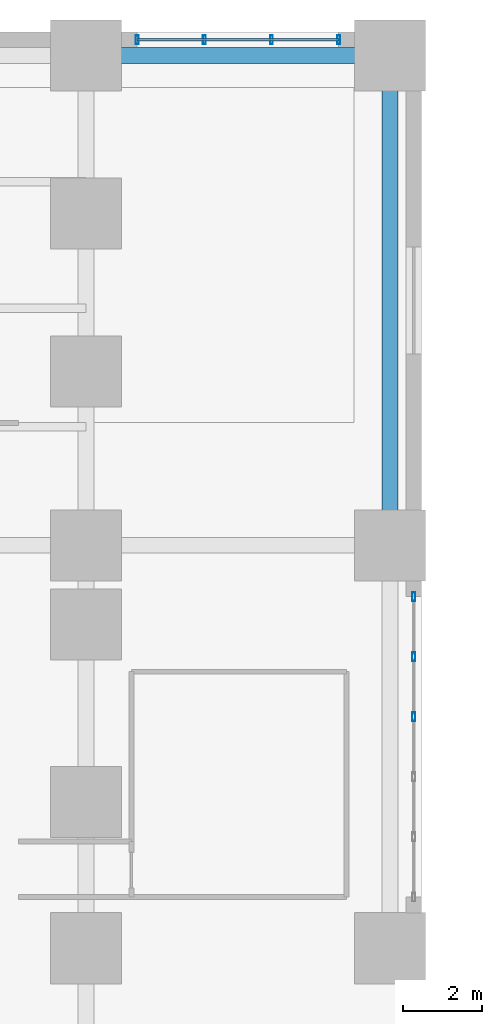
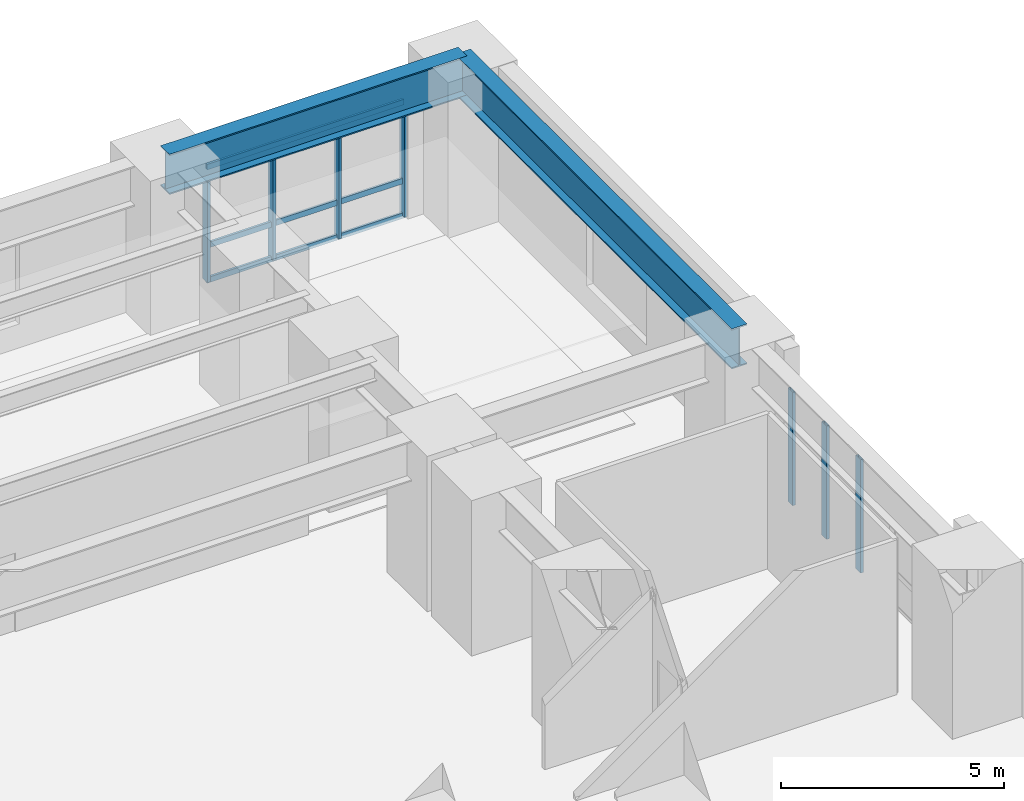
# One storey, part 5 of 13: 10 members, 2 beams, 2 elements without a shape of their own.
"""IFC4 building model written with IfcOpenShell, lengths in metres."""

from ifc_helpers import new_model, si_unit, direction, frame, origin, origin_2d, place, context, subcontext, project, spatial, hollow_rectangle, i_section, extrude, source, transform, mapped, material, layer, layer_set, material_profile, profile_set, type_object, element, aggregate, save


model = new_model("IFC4")

# Units and contexts
model_context = context("Model", 3, precision=1e-05, world=origin(), true_north=direction((0.0, 1.0)))
body_context = subcontext(model_context, "Body", "Model", "MODEL_VIEW")
ifc_project = project(units=[si_unit("LENGTHUNIT", "METRE"), si_unit("AREAUNIT", "SQUARE_METRE"), si_unit("VOLUMEUNIT", "CUBIC_METRE"), si_unit("PLANEANGLEUNIT", "RADIAN"), si_unit("MASSUNIT", "GRAM", prefix="KILO")], contexts=[model_context])

# Site, building, storey
site_placement = place(None, origin())
site = spatial("IfcSite", under=ifc_project, at=site_placement, CompositionType="ELEMENT")
building_placement = place(site_placement, origin())
building = spatial("IfcBuilding", under=site, at=building_placement, Name="Kharzan Plaza Tower", CompositionType="ELEMENT")
storey_placement = place(building_placement, frame((0.0, 0.0, 4.5)))
storey = spatial("IfcBuildingStorey", under=building, at=storey_placement, Name="L01", CompositionType="ELEMENT", Elevation=4.5)

# Beams
ifc_material_1 = material(Name="Steel S355", Category="steel")
ifc_material_profile_1 = material_profile(ifc_material_1, i_section(OverallWidth=0.39990234375, OverallDepth=1.10009765625, WebThickness=0.02001953125, FlangeThickness=0.035888671875, at=origin_2d()), Name="W1100x390")
ifc_profile_set_1 = profile_set([ifc_material_profile_1], Name="Steel S355")
beam_type = type_object("IfcBeamType", Name="BM-PG1100B", PredefinedType="BEAM", material=ifc_profile_set_1)
shared_shape_1 = source(origin(), body_context, "Body", "SweptSolid", [
    extrude(i_section(OverallWidth=0.39990234375, OverallDepth=1.10009765625, WebThickness=0.02001953125, FlangeThickness=0.035888671875, at=origin_2d()), origin(), (0.0, 0.0, 1.0), 7.699951171875),
])
beam_1_placement = place(storey_placement, frame((19.0, 49.39990234375, 3.699951171875), z_axis=(1.0, 0.0, 0.0), x_axis=(0.0, 1.0, 0.0)))
element("IfcBeam", 1, at=beam_1_placement, inside=storey, type_object=beam_type, Name="L01 Podium Primary Girder PG-11", PredefinedType="BEAM", context=body_context, shape_type="MappedRepresentation", body=[
    mapped(shared_shape_1, transform((0.0, 0.0, 0.0), x_axis=(1.0, 0.0, 0.0), y_axis=(0.0, 1.0, 0.0), z_axis=(0.0, 0.0, 1.0))),
])
shared_shape_2 = source(origin(), body_context, "Body", "SweptSolid", [
    extrude(i_section(OverallWidth=0.39990234375, OverallDepth=1.10009765625, WebThickness=0.02001953125, FlangeThickness=0.035888671875, at=origin_2d()), origin(), (0.0, 0.0, 1.0), 12.39990234375),
])
beam_2_placement = place(storey_placement, frame((26.699951171875, 37.0, 3.699951171875), z_axis=(0.0, 1.0, 0.0), x_axis=(-1.0, 0.0, 0.0)))
element("IfcBeam", 2, at=beam_2_placement, inside=storey, type_object=beam_type, Name="L01 Podium Primary Girder PG-33", PredefinedType="BEAM", context=body_context, shape_type="MappedRepresentation", body=[
    mapped(shared_shape_2, transform((0.0, 0.0, 0.0), x_axis=(1.0, 0.0, 0.0), y_axis=(0.0, 1.0, 0.0), z_axis=(0.0, 0.0, 1.0))),
])

# Curtain wall, members
ifc_material_2 = material(Name="Unitised Bronze-Anodized Aluminium and Low-E Glass", Category="aluminium")
ifc_layer_1 = layer(ifc_material_2, 0.199951171875)
ifc_layer_set_1 = layer_set([ifc_layer_1], Name="Unitised Bronze-Anodized Aluminium and Low-E Glass")
curtain_wall_type_1 = type_object("IfcCurtainWallType", Name="CW-PLAZA-2", PredefinedType="NOTDEFINED", material=ifc_layer_set_1)
curtain_wall_1_placement = place(storey_placement, origin())
curtain_wall_1 = element("IfcCurtainWall", 3, at=curtain_wall_1_placement, inside=storey, type_object=curtain_wall_type_1, Name="L01 Mezzanine Oculus Colonnade Gallery Curtain Wall", PredefinedType="NOTDEFINED")
ifc_material_3 = material(Name="Anodized Bronze Aluminium", Category="aluminium")
ifc_material_profile_2 = material_profile(ifc_material_3, hollow_rectangle(XDim=0.074951171875, YDim=0.219970703125, WallThickness=0.00390625, at=origin_2d()), Name="ALU-M220x75x4")
ifc_profile_set_2 = profile_set([ifc_material_profile_2], Name="Anodized Bronze Aluminium")
member_type_1 = type_object("IfcMemberType", Name="MEM-CW-MUL200", PredefinedType="MULLION", material=ifc_profile_set_2)
shared_shape_3 = source(origin(), body_context, "Body", "SweptSolid", [
    extrude(hollow_rectangle(XDim=0.074951171875, YDim=0.219970703125, WallThickness=0.00390625, at=origin_2d()), origin(), (0.0, 0.0, 1.0), 3.10009765625),
])
member_1_placement = place(storey_placement, frame((27.300048828125, 32.659912109375, 0.0), z_axis=(0.0, 0.0, 1.0), x_axis=(1.0, 0.0, 0.0)))
member_1 = element("IfcMember", 4, at=member_1_placement, type_object=member_type_1, Name="L01 Curtain-Wall Mullion 03", PredefinedType="MULLION", context=body_context, shape_type="MappedRepresentation", body=[
    mapped(shared_shape_3, transform((0.0, 0.0, 0.0), x_axis=(1.0, 0.0, 0.0), y_axis=(0.0, 1.0, 0.0), z_axis=(0.0, 0.0, 1.0))),
])
member_2_placement = place(storey_placement, frame((27.300048828125, 34.179931640625, 0.0), z_axis=(0.0, 0.0, 1.0), x_axis=(1.0, 0.0, 0.0)))
member_2 = element("IfcMember", 5, at=member_2_placement, type_object=member_type_1, Name="L01 Curtain-Wall Mullion 04", PredefinedType="MULLION", context=body_context, shape_type="MappedRepresentation", body=[
    mapped(shared_shape_3, transform((0.0, 0.0, 0.0), x_axis=(1.0, 0.0, 0.0), y_axis=(0.0, 1.0, 0.0), z_axis=(0.0, 0.0, 1.0))),
])
member_3_placement = place(storey_placement, frame((27.300048828125, 35.699951171875, 0.0), z_axis=(0.0, 0.0, 1.0), x_axis=(1.0, 0.0, 0.0)))
member_3 = element("IfcMember", 6, at=member_3_placement, type_object=member_type_1, Name="L01 Curtain-Wall Mullion 05", PredefinedType="MULLION", context=body_context, shape_type="MappedRepresentation", body=[
    mapped(shared_shape_3, transform((0.0, 0.0, 0.0), x_axis=(1.0, 0.0, 0.0), y_axis=(0.0, 1.0, 0.0), z_axis=(0.0, 0.0, 1.0))),
])
aggregate(curtain_wall_1, [member_1, member_2, member_3])

ifc_layer_2 = layer(ifc_material_2, 0.199951171875)
ifc_layer_set_2 = layer_set([ifc_layer_2], Name="Unitised Bronze-Anodized Aluminium and Low-E Glass")
curtain_wall_type_2 = type_object("IfcCurtainWallType", Name="CW-PODIUM-1", PredefinedType="NOTDEFINED", material=ifc_layer_set_2)
curtain_wall_2_placement = place(storey_placement, origin())
curtain_wall_2 = element("IfcCurtainWall", 7, at=curtain_wall_2_placement, inside=storey, type_object=curtain_wall_type_2, Name="L01 Podium North Gallery Curtain Wall", PredefinedType="NOTDEFINED")
member_4_placement = place(storey_placement, frame((20.300048828125, 49.800048828125, 0.0), z_axis=(0.0, 0.0, 1.0), x_axis=(1.0, 0.0, 0.0)))
member_4 = element("IfcMember", 8, at=member_4_placement, type_object=member_type_1, Name="L01 Curtain-Wall Mullion 00", PredefinedType="MULLION", context=body_context, shape_type="MappedRepresentation", body=[
    mapped(shared_shape_3, transform((0.0, 0.0, 0.0), x_axis=(1.0, 0.0, 0.0), y_axis=(0.0, 1.0, 0.0), z_axis=(0.0, 0.0, 1.0))),
])
member_5_placement = place(storey_placement, frame((22.0, 49.800048828125, 0.0), z_axis=(0.0, 0.0, 1.0), x_axis=(1.0, 0.0, 0.0)))
member_5 = element("IfcMember", 9, at=member_5_placement, type_object=member_type_1, Name="L01 Curtain-Wall Mullion 01", PredefinedType="MULLION", context=body_context, shape_type="MappedRepresentation", body=[
    mapped(shared_shape_3, transform((0.0, 0.0, 0.0), x_axis=(1.0, 0.0, 0.0), y_axis=(0.0, 1.0, 0.0), z_axis=(0.0, 0.0, 1.0))),
])
member_6_placement = place(storey_placement, frame((23.699951171875, 49.800048828125, 0.0), z_axis=(0.0, 0.0, 1.0), x_axis=(1.0, 0.0, 0.0)))
member_6 = element("IfcMember", 10, at=member_6_placement, type_object=member_type_1, Name="L01 Curtain-Wall Mullion 02", PredefinedType="MULLION", context=body_context, shape_type="MappedRepresentation", body=[
    mapped(shared_shape_3, transform((0.0, 0.0, 0.0), x_axis=(1.0, 0.0, 0.0), y_axis=(0.0, 1.0, 0.0), z_axis=(0.0, 0.0, 1.0))),
])
member_7_placement = place(storey_placement, frame((25.39990234375, 49.800048828125, 0.0), z_axis=(0.0, 0.0, 1.0), x_axis=(1.0, 0.0, 0.0)))
member_7 = element("IfcMember", 11, at=member_7_placement, type_object=member_type_1, Name="L01 Curtain-Wall Mullion 03", PredefinedType="MULLION", context=body_context, shape_type="MappedRepresentation", body=[
    mapped(shared_shape_3, transform((0.0, 0.0, 0.0), x_axis=(1.0, 0.0, 0.0), y_axis=(0.0, 1.0, 0.0), z_axis=(0.0, 0.0, 1.0))),
])
ifc_material_profile_3 = material_profile(ifc_material_3, hollow_rectangle(XDim=0.06005859375, YDim=0.14990234375, WallThickness=0.00341796875, at=origin_2d()), Name="ALU-T150x60x3.5")
ifc_profile_set_3 = profile_set([ifc_material_profile_3], Name="Anodized Bronze Aluminium")
member_type_2 = type_object("IfcMemberType", Name="MEM-CW-TRN150", PredefinedType="USERDEFINED", material=ifc_profile_set_3)
shared_shape_4 = source(origin(), body_context, "Body", "SweptSolid", [
    extrude(hollow_rectangle(XDim=0.06005859375, YDim=0.14990234375, WallThickness=0.00341796875, at=origin_2d()), origin(), (0.0, 0.0, 1.0), 5.099853515625),
])
member_8_placement = place(storey_placement, frame((20.300048828125, 49.800048828125, 0.0), z_axis=(1.0, 0.0, 0.0), x_axis=(0.0, 1.0, 0.0)))
member_8 = element("IfcMember", 12, at=member_8_placement, type_object=member_type_2, Name="L01 Curtain-Wall Transom 1", ObjectType="TRANSOM", PredefinedType="USERDEFINED", context=body_context, shape_type="MappedRepresentation", body=[
    mapped(shared_shape_4, transform((0.0, 0.0, 0.0), x_axis=(1.0, 0.0, 0.0), y_axis=(0.0, 1.0, 0.0), z_axis=(0.0, 0.0, 1.0))),
])
member_9_placement = place(storey_placement, frame((20.300048828125, 49.800048828125, 0.949951171875), z_axis=(1.0, 0.0, 0.0), x_axis=(0.0, 1.0, 0.0)))
member_9 = element("IfcMember", 13, at=member_9_placement, type_object=member_type_2, Name="L01 Curtain-Wall Transom 2", ObjectType="TRANSOM", PredefinedType="USERDEFINED", context=body_context, shape_type="MappedRepresentation", body=[
    mapped(shared_shape_4, transform((0.0, 0.0, 0.0), x_axis=(1.0, 0.0, 0.0), y_axis=(0.0, 1.0, 0.0), z_axis=(0.0, 0.0, 1.0))),
])
member_10_placement = place(storey_placement, frame((20.300048828125, 49.800048828125, 3.10009765625), z_axis=(1.0, 0.0, 0.0), x_axis=(0.0, 1.0, 0.0)))
member_10 = element("IfcMember", 14, at=member_10_placement, type_object=member_type_2, Name="L01 Curtain-Wall Transom 3", ObjectType="TRANSOM", PredefinedType="USERDEFINED", context=body_context, shape_type="MappedRepresentation", body=[
    mapped(shared_shape_4, transform((0.0, 0.0, 0.0), x_axis=(1.0, 0.0, 0.0), y_axis=(0.0, 1.0, 0.0), z_axis=(0.0, 0.0, 1.0))),
])
aggregate(curtain_wall_2, [member_4, member_5, member_6, member_7, member_8, member_9, member_10])

save(model, "model.ifc")
